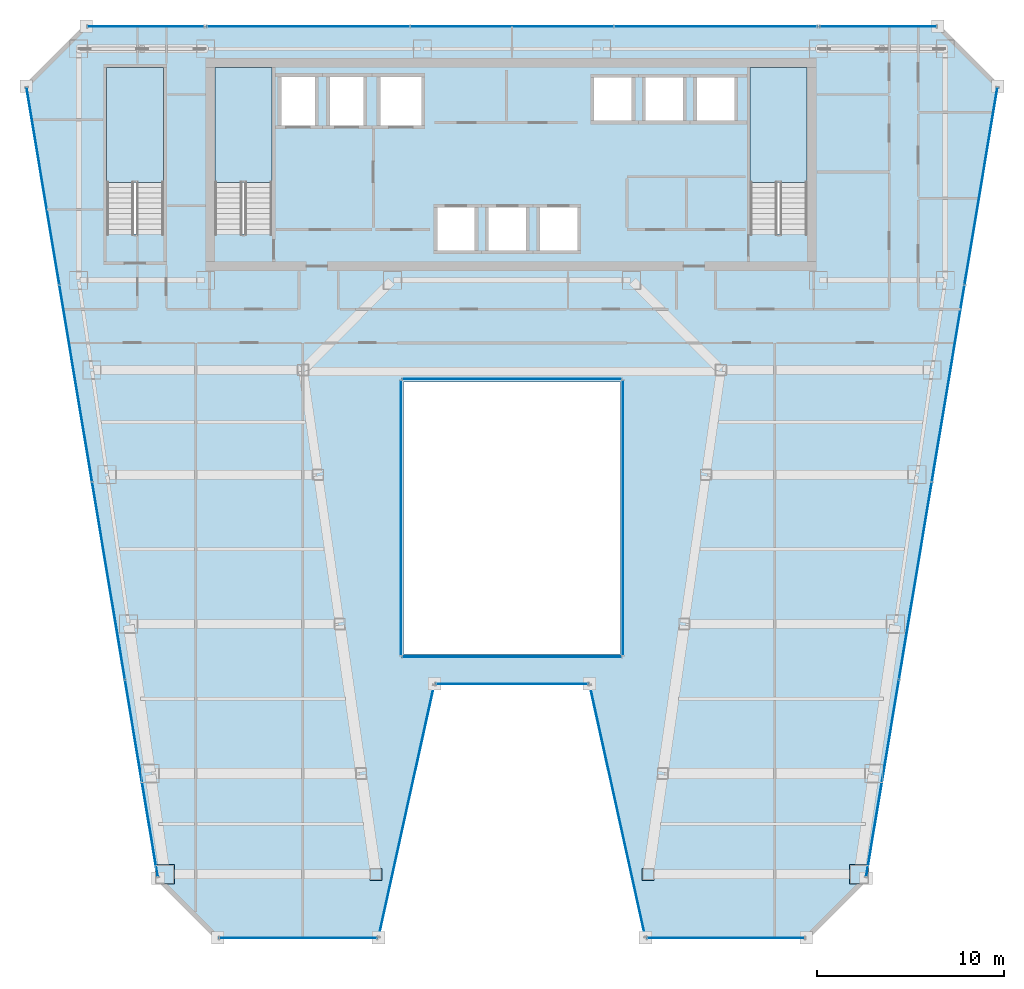
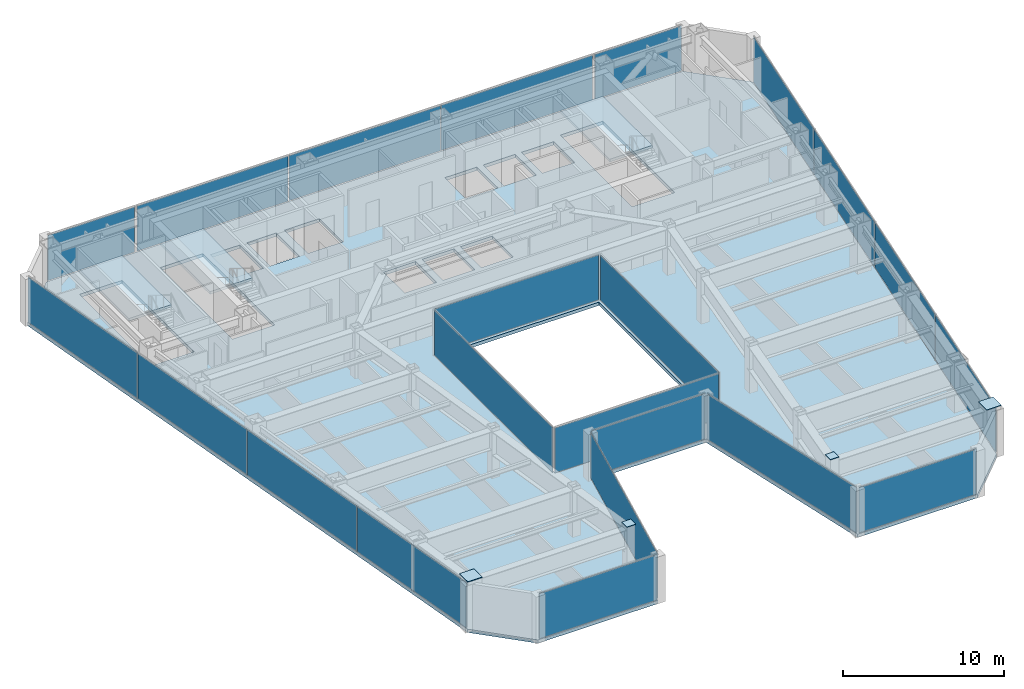
# One storey, part 29 of 37: 26 plates, 4 slabs, 17 elements without a shape of their own.
"""IFC4 building model written with IfcOpenShell, lengths in metres."""

import ifcopenshell
import ifcopenshell.guid

model = None  # the IFC model being written
_history = None  # IfcOwnerHistory: only IFC2X3 demands one
_inside = {}  # id of a spatial element -> (the spatial element, [elements in it])
_under = {}  # id of a project, library or spatial element -> (it, [spatial elements below it])
_declared = {}  # id of a project -> (the project, [libraries it declares])
_typed = {}  # id of a type object -> (the type object, [elements of that type])
_made_of = {}  # id of a material, layer set ... -> (it, [elements and type objects made of it])


def new_model(schema):
    """Start an empty IFC model of exactly this schema.

    Asked for "IFC4X3", IfcOpenShell would pick the latest addendum, in which some entities
    have other attributes; the version numbers below select the first issue.
    IFC2X3 requires an IfcOwnerHistory on every rooted entity: one is made here for all.
    """
    global model, _history
    if schema == "IFC4X3":
        model = ifcopenshell.file(schema_version=(4, 3, 0, 0))
    else:
        model = ifcopenshell.file(schema=schema)
    _inside.clear()
    _under.clear()
    _declared.clear()
    _typed.clear()
    _made_of.clear()
    _history = None
    if model.schema == "IFC2X3":
        org = make("IfcOrganization", Name="unknown")
        user = make(
            "IfcPersonAndOrganization",
            ThePerson=make("IfcPerson", FamilyName="unknown"),
            TheOrganization=org,
        )
        app = make(
            "IfcApplication",
            ApplicationDeveloper=org,
            Version="unknown",
            ApplicationFullName="unknown",
            ApplicationIdentifier="unknown",
        )
        _history = make(
            "IfcOwnerHistory",
            OwningUser=user,
            OwningApplication=app,
            ChangeAction="ADDED",
            CreationDate=0,
        )
    return model


def make(cls, **values):
    """One entity of the class cls with the attributes given. An attribute that is None is left unset."""
    return model.create_entity(
        cls, **{name: value for name, value in values.items() if value is not None}
    )


def rooted(cls, **values):
    """An entity with a GlobalId (a new one), such as an element, a storey or a relation."""
    return make(cls, GlobalId=ifcopenshell.guid.new(), OwnerHistory=_history, **values)


def si_unit(unit_type, name, prefix=None):
    """IfcSIUnit, for example si_unit("LENGTHUNIT", "METRE", prefix="MILLI")."""
    return make("IfcSIUnit", UnitType=unit_type, Prefix=prefix, Name=name)


def assignment(units):
    """IfcUnitAssignment: the units of a project."""
    return None if units is None else make("IfcUnitAssignment", Units=units)


def point(xyz):
    """IfcCartesianPoint."""
    return None if xyz is None else make("IfcCartesianPoint", Coordinates=xyz)


def direction(xyz):
    """IfcDirection."""
    return None if xyz is None else make("IfcDirection", DirectionRatios=xyz)


def frame(location, z_axis=None, x_axis=None):
    """IfcAxis2Placement3D, a coordinate frame: its origin and axes. An axis left out is left unset."""
    return make(
        "IfcAxis2Placement3D",
        Location=point(location),
        Axis=direction(z_axis),
        RefDirection=direction(x_axis),
    )


def frame_2d(location, x_axis=None):
    """IfcAxis2Placement2D, a coordinate frame in the plane: its origin and x axis."""
    return make(
        "IfcAxis2Placement2D", Location=point(location), RefDirection=direction(x_axis)
    )


def origin():
    """The frame at (0, 0, 0) with its axes left unset."""
    return frame((0.0, 0.0, 0.0))


def origin_2d():
    """The frame at (0, 0) in the plane with its x axis left unset."""
    return frame_2d((0.0, 0.0))


def place(relative_to, where):
    """IfcLocalPlacement: puts the frame where relative to a parent placement (None: the world)."""
    return make(
        "IfcLocalPlacement", PlacementRelTo=relative_to, RelativePlacement=where
    )


def context(
    kind, dimensions, precision=None, world=None, true_north=None, identifier=None
):
    """IfcGeometricRepresentationContext, for example the 3D "Model" context."""
    return make(
        "IfcGeometricRepresentationContext",
        ContextIdentifier=identifier,
        ContextType=kind,
        CoordinateSpaceDimension=dimensions,
        Precision=precision,
        WorldCoordinateSystem=world,
        TrueNorth=true_north,
    )


def subcontext(parent, identifier, kind, view, scale=None):
    """IfcGeometricRepresentationSubContext, for example "Body" below "Model"."""
    return make(
        "IfcGeometricRepresentationSubContext",
        ContextIdentifier=identifier,
        ContextType=kind,
        ParentContext=parent,
        TargetScale=scale,
        TargetView=view,
    )


def project(units=None, contexts=None):
    """IfcProject with its units and contexts."""
    return rooted(
        "IfcProject",
        Name="project",
        RepresentationContexts=contexts,
        UnitsInContext=assignment(units),
    )


def spatial(cls, under=None, at=None, **own):
    """A site, building, storey or space (cls), placed at a placement, below another one or the project."""
    s = rooted(cls, ObjectPlacement=at, **own)
    if under is not None:
        _under.setdefault(under.id(), (under, []))[1].append(s)
    return s


def polyline(points):
    """IfcPolyline through the points."""
    return make("IfcPolyline", Points=[point(p) for p in points])


def profile(cls, at=None, kind="AREA", **sizes):
    """A parametric profile (cls). Its sizes go by their IFC names, for example OverallWidth=200.0."""
    return make(cls, ProfileType=kind, Position=at, **sizes)


def rectangle(**sizes):
    """IfcRectangleProfileDef."""
    return profile("IfcRectangleProfileDef", **sizes)


def outline(outer, holes=None, kind="AREA"):
    """IfcArbitraryClosedProfileDef: a profile drawn as a closed curve; with holes, ...WithVoids."""
    if holes is None:
        return make("IfcArbitraryClosedProfileDef", ProfileType=kind, OuterCurve=outer)
    return make(
        "IfcArbitraryProfileDefWithVoids",
        ProfileType=kind,
        OuterCurve=outer,
        InnerCurves=holes,
    )


def extrude(swept, where, along, depth):
    """IfcExtrudedAreaSolid: the profile swept, set in the frame where, extruded along a direction by depth."""
    return make(
        "IfcExtrudedAreaSolid",
        SweptArea=swept,
        Position=where,
        ExtrudedDirection=direction(along),
        Depth=depth,
    )


def shape(context_of_items, identifier, shape_type, items):
    """IfcShapeRepresentation: the items that make up one representation, for example the "Body"."""
    return make(
        "IfcShapeRepresentation",
        ContextOfItems=context_of_items,
        RepresentationIdentifier=identifier,
        RepresentationType=shape_type,
        Items=items,
    )


def material(Name=None, Category=None):
    """IfcMaterial."""
    return make("IfcMaterial", Name=Name, Category=Category)


def layer(
    of_material, thickness, ventilated=None, Name=None, Category=None, Priority=None
):
    """IfcMaterialLayer: one layer of a wall or slab, of a material (None: an air gap)."""
    return make(
        "IfcMaterialLayer",
        Material=of_material,
        LayerThickness=thickness,
        IsVentilated=ventilated,
        Name=Name,
        Category=Category,
        Priority=Priority,
    )


def layer_set(layers, Name=None):
    """IfcMaterialLayerSet."""
    return make("IfcMaterialLayerSet", MaterialLayers=layers, LayerSetName=Name)


def made_of(thing, what):
    """Note that an element or type object is made of a material, layer set ...; save() writes the relation."""
    if what is not None:
        _made_of.setdefault(what.id(), (what, []))[1].append(thing)
    return thing


def type_object(cls, material=None, **own):
    """A type object (cls), such as IfcWallType, which elements share."""
    return made_of(rooted(cls, **own), material)


def element(
    cls,
    number,
    at=None,
    inside=None,
    cuts=None,
    type_object=None,
    material=None,
    context=None,
    identifier="Body",
    shape_type=None,
    held_by="IfcProductDefinitionShape",
    body=None,
    shapes=None,
    **own,
):
    """One element of the class cls, such as IfcWall. Its Tag is "e" and its number.

    at: its placement. inside: the storey or other place that contains it. cuts: it is an
    opening in that element (IfcRelVoidsElement). A single representation is given by context,
    identifier, shape_type and body (its items); several are given by shapes. held_by: the class
    of the entity that holds the representations. save() writes the other relations.
    """
    e = rooted(cls, Tag="e%d" % number, ObjectPlacement=at, **own)
    if body is not None:
        shapes = [shape(context, identifier, shape_type, body)]
    if shapes is not None:
        e.Representation = make(held_by, Representations=shapes)
    if inside is not None:
        _inside.setdefault(inside.id(), (inside, []))[1].append(e)
    if cuts is not None:
        rooted(
            "IfcRelVoidsElement", RelatingBuildingElement=cuts, RelatedOpeningElement=e
        )
    if type_object is not None:
        _typed.setdefault(type_object.id(), (type_object, []))[1].append(e)
    return made_of(e, material)


def aggregate(whole, parts):
    """IfcRelAggregates: a whole, such as a stair, and the parts it consists of."""
    return rooted("IfcRelAggregates", RelatingObject=whole, RelatedObjects=parts)


def save(model, path):
    """Write the relations noted so far, then the file.

    IfcRelAggregates (storeys below a building ...), IfcRelContainedInSpatialStructure (elements
    in a storey), IfcRelDefinesByType, IfcRelAssociatesMaterial and IfcRelDeclares: one each for
    every whole, place, type object, material and project.
    """
    for whole, parts in _under.values():
        aggregate(whole, parts)
    for where, things in _inside.values():
        rooted(
            "IfcRelContainedInSpatialStructure",
            RelatedElements=things,
            RelatingStructure=where,
        )
    for kind, things in _typed.values():
        rooted("IfcRelDefinesByType", RelatedObjects=things, RelatingType=kind)
    for what, things in _made_of.values():
        rooted("IfcRelAssociatesMaterial", RelatedObjects=things, RelatingMaterial=what)
    for by, libraries in _declared.values():
        rooted("IfcRelDeclares", RelatingContext=by, RelatedDefinitions=libraries)
    model.write(path)


model = new_model("IFC4")

# Units and contexts
model_context = context("Model", 3, precision=1e-05, world=origin(), true_north=direction((0.0, 1.0)))
body_context = subcontext(model_context, "Body", "Model", "MODEL_VIEW")
ifc_project = project(units=[si_unit("LENGTHUNIT", "METRE"), si_unit("AREAUNIT", "SQUARE_METRE"), si_unit("VOLUMEUNIT", "CUBIC_METRE"), si_unit("PLANEANGLEUNIT", "RADIAN"), si_unit("MASSUNIT", "GRAM", prefix="KILO")], contexts=[model_context])

# Site, building, storey
site_placement = place(None, origin())
site = spatial("IfcSite", under=ifc_project, at=site_placement, CompositionType="ELEMENT")
building_placement = place(site_placement, origin())
building = spatial("IfcBuilding", under=site, at=building_placement, Name="Saevonmaru Cultural Tower", CompositionType="ELEMENT")
storey_placement = place(building_placement, frame((0.0, 0.0, 163.800048828125)))
storey = spatial("IfcBuildingStorey", under=building, at=storey_placement, Name="L36", CompositionType="ELEMENT", Elevation=163.800048828125)

# Plates
ifc_material_1 = material(Name="Steel HSA600 (600 MPa)", Category="steel")
ifc_layer_1 = layer(ifc_material_1, 0.0400390625, Name="Steel HSA600 (600 MPa)")
ifc_layer_set_1 = layer_set([ifc_layer_1], Name="Steel HSA600 (600 MPa)")
plate_type_1 = type_object("IfcPlateType", Name="PL-CAP-1000", PredefinedType="USERDEFINED", material=ifc_layer_set_1)
for number, where, z_axis, x_axis, name in (
    (1, (48.592041015625, 10.60009765625, 3.794921875), (0.0, 0.0, 1.0), (1.0, 0.0, 0.0), "Column head cap plate TC-EO-Y106 L36"),
    (2, (11.407958984375, 10.60009765625, 3.794921875), (0.0, 0.0, 1.0), (1.0, 0.0, 0.0), "Column head cap plate TC-WO-Y106 L36"),
):
    element("IfcPlate", number, at=place(storey_placement, frame(where, z_axis=z_axis, x_axis=x_axis)), inside=storey, type_object=plate_type_1, Name=name, ObjectType="CAP_PLATE", PredefinedType="USERDEFINED", context=body_context, shape_type="SweptSolid", body=[
        extrude(rectangle(XDim=1.0400390625, YDim=1.0400390625, at=origin_2d()), origin(), (0.0, 0.0, 1.0), 0.0400390625),
    ])
ifc_layer_2 = layer(ifc_material_1, 0.0400390625, Name="Steel HSA600 (600 MPa)")
ifc_layer_set_2 = layer_set([ifc_layer_2], Name="Steel HSA600 (600 MPa)")
plate_type_2 = type_object("IfcPlateType", Name="PL-CAP-600", PredefinedType="USERDEFINED", material=ifc_layer_set_2)
for number, where, z_axis, x_axis, name in (
    (3, (37.2919921875, 10.60009765625, 3.794921875), (0.0, 0.0, 1.0), (1.0, 0.0, 0.0), "Column head cap plate TC-EI-Y106 L36"),
    (4, (22.7080078125, 10.60009765625, 3.794921875), (0.0, 0.0, 1.0), (1.0, 0.0, 0.0), "Column head cap plate TC-WI-Y106 L36"),
):
    element("IfcPlate", number, at=place(storey_placement, frame(where, z_axis=z_axis, x_axis=x_axis)), inside=storey, type_object=plate_type_2, Name=name, ObjectType="CAP_PLATE", PredefinedType="USERDEFINED", context=body_context, shape_type="SweptSolid", body=[
        extrude(rectangle(XDim=0.639892578125, YDim=0.639892578125, at=origin_2d()), origin(), (0.0, 0.0, 1.0), 0.0400390625),
    ])

# Curtain wall, plate
ifc_material_2 = material(Name="Satin Bronze Anodised Aluminium", Category="aluminium")
curtain_wall_type_1 = type_object("IfcCurtainWallType", Name="CW-ATR-GLZ", PredefinedType="NOTDEFINED", material=ifc_material_2)
curtain_wall_1_placement = place(storey_placement, origin())
curtain_wall_1 = element("IfcCurtainWall", 5, at=curtain_wall_1_placement, inside=storey, type_object=curtain_wall_type_1, Name="L36 Vertical Atrium Glazed Smoke Screen 1", PredefinedType="NOTDEFINED")
ifc_material_3 = material(Name="Fire-Rated Laminated Atrium Glass", Category="glass")
ifc_layer_3 = layer(ifc_material_3, 0.031982421875, Name="Fire-Rated Laminated Atrium Glass")
ifc_layer_set_3 = layer_set([ifc_layer_3], Name="Fire-Rated Laminated Atrium Glass")
plate_type_3 = type_object("IfcPlateType", Name="PN-GLZ-ATR-INT", PredefinedType="CURTAIN_PANEL", material=ifc_layer_set_3)
plate_1_placement = place(storey_placement, frame((30.0, 22.25, 0.06689453125), z_axis=(0.0, 0.0, 1.0), x_axis=(1.0, 0.0, 0.0)))
plate_1 = element("IfcPlate", 6, at=plate_1_placement, type_object=plate_type_3, Name="CW-ATR-L36-1 panel 1.1", PredefinedType="CURTAIN_PANEL", context=body_context, shape_type="SweptSolid", body=[
    extrude(rectangle(XDim=11.7109375, YDim=0.031982421875, at=origin_2d()), origin(), (0.0, 0.0, 1.0), 3.416015625),
])
aggregate(curtain_wall_1, [plate_1])

curtain_wall_2_placement = place(storey_placement, origin())
curtain_wall_2 = element("IfcCurtainWall", 7, at=curtain_wall_2_placement, inside=storey, type_object=curtain_wall_type_1, Name="L36 Vertical Atrium Glazed Smoke Screen 2", PredefinedType="NOTDEFINED")
plate_2_placement = place(storey_placement, frame((35.949951171875, 29.679931640625, 0.06689453125), z_axis=(0.0, 0.0, 1.0), x_axis=(0.0, 1.0, 0.0)))
plate_2 = element("IfcPlate", 8, at=plate_2_placement, type_object=plate_type_3, Name="CW-ATR-L36-2 panel 1.1", PredefinedType="CURTAIN_PANEL", context=body_context, shape_type="SweptSolid", body=[
    extrude(rectangle(XDim=14.6708984375, YDim=0.031982421875, at=origin_2d()), origin(), (0.0, 0.0, 1.0), 3.416015625),
])
aggregate(curtain_wall_2, [plate_2])

curtain_wall_3_placement = place(storey_placement, origin())
curtain_wall_3 = element("IfcCurtainWall", 9, at=curtain_wall_3_placement, inside=storey, type_object=curtain_wall_type_1, Name="L36 Vertical Atrium Glazed Smoke Screen 3", PredefinedType="NOTDEFINED")
plate_3_placement = place(storey_placement, frame((30.0, 37.110107421875, 0.06689453125), z_axis=(0.0, 0.0, 1.0), x_axis=(-1.0, 0.0, 0.0)))
plate_3 = element("IfcPlate", 10, at=plate_3_placement, type_object=plate_type_3, Name="CW-ATR-L36-3 panel 1.1", PredefinedType="CURTAIN_PANEL", context=body_context, shape_type="SweptSolid", body=[
    extrude(rectangle(XDim=11.7109375, YDim=0.031982421875, at=origin_2d()), origin(), (0.0, 0.0, 1.0), 3.416015625),
])
aggregate(curtain_wall_3, [plate_3])

curtain_wall_4_placement = place(storey_placement, origin())
curtain_wall_4 = element("IfcCurtainWall", 11, at=curtain_wall_4_placement, inside=storey, type_object=curtain_wall_type_1, Name="L36 Vertical Atrium Glazed Smoke Screen 4", PredefinedType="NOTDEFINED")
plate_4_placement = place(storey_placement, frame((24.050048828125, 29.679931640625, 0.06689453125), z_axis=(0.0, 0.0, 1.0), x_axis=(0.0, -1.0, 0.0)))
plate_4 = element("IfcPlate", 12, at=plate_4_placement, type_object=plate_type_3, Name="CW-ATR-L36-4 panel 1.1", PredefinedType="CURTAIN_PANEL", context=body_context, shape_type="SweptSolid", body=[
    extrude(rectangle(XDim=14.6708984375, YDim=0.031982421875, at=origin_2d()), origin(), (0.0, 0.0, 1.0), 3.416015625),
])
aggregate(curtain_wall_4, [plate_4])

curtain_wall_type_2 = type_object("IfcCurtainWallType", Name="CW-TYP-A", PredefinedType="NOTDEFINED", material=ifc_material_2)
curtain_wall_5_placement = place(storey_placement, origin())
curtain_wall_5 = element("IfcCurtainWall", 13, at=curtain_wall_5_placement, inside=storey, type_object=curtain_wall_type_2, Name="L36 Unitised Curtain Wall E2", PredefinedType="NOTDEFINED")
ifc_material_4 = material(Name="Triple Silver Low-E Insulating Glass", Category="glass")
ifc_layer_4 = layer(ifc_material_4, 0.035888671875, Name="Triple Silver Low-E Insulating Glass")
ifc_layer_set_4 = layer_set([ifc_layer_4], Name="Triple Silver Low-E Insulating Glass")
plate_type_4 = type_object("IfcPlateType", Name="PN-GLZ-IGU", PredefinedType="CURTAIN_PANEL", material=ifc_layer_set_4)
plate_5_placement = place(storey_placement, frame((18.548828125, 7.199951171875, 0.06689453125), z_axis=(0.0, 0.0, 1.0), x_axis=(1.0, 0.0, 0.0)))
plate_5 = element("IfcPlate", 14, at=plate_5_placement, type_object=plate_type_4, Name="CW-TW-L36-E2 panel 1.1", PredefinedType="CURTAIN_PANEL", context=body_context, shape_type="SweptSolid", body=[
    extrude(rectangle(XDim=8.410888671875, YDim=0.035888671875, at=origin_2d()), origin(), (0.0, 0.0, 1.0), 3.416015625),
])
aggregate(curtain_wall_5, [plate_5])

curtain_wall_6_placement = place(storey_placement, origin())
curtain_wall_6 = element("IfcCurtainWall", 15, at=curtain_wall_6_placement, inside=storey, type_object=curtain_wall_type_2, Name="L36 Unitised Curtain Wall E3", PredefinedType="NOTDEFINED")
plate_6_placement = place(storey_placement, frame((24.348876953125, 14.0, 0.06689453125), z_axis=(0.0, 0.0, 1.0), x_axis=(0.215413319953, 0.976522965212, 0.0)))
plate_6 = element("IfcPlate", 16, at=plate_6_placement, type_object=plate_type_4, Name="CW-TW-L36-E3 panel 1.1", PredefinedType="CURTAIN_PANEL", context=body_context, shape_type="SweptSolid", body=[
    extrude(rectangle(XDim=13.738037109375, YDim=0.035888671875, at=origin_2d()), origin(), (0.0, 0.0, 1.0), 3.416015625),
])
aggregate(curtain_wall_6, [plate_6])

curtain_wall_7_placement = place(storey_placement, origin())
curtain_wall_7 = element("IfcCurtainWall", 17, at=curtain_wall_7_placement, inside=storey, type_object=curtain_wall_type_2, Name="L36 Unitised Curtain Wall E4", PredefinedType="NOTDEFINED")
plate_7_placement = place(storey_placement, frame((30.0, 20.800048828125, 0.06689453125), z_axis=(0.0, 0.0, 1.0), x_axis=(1.0, 0.0, 0.0)))
plate_7 = element("IfcPlate", 18, at=plate_7_placement, type_object=plate_type_4, Name="CW-TW-L36-E4 panel 1.1", PredefinedType="CURTAIN_PANEL", context=body_context, shape_type="SweptSolid", body=[
    extrude(rectangle(XDim=8.11328125, YDim=0.035888671875, at=origin_2d()), origin(), (0.0, 0.0, 1.0), 3.416015625),
])
aggregate(curtain_wall_7, [plate_7])

curtain_wall_8_placement = place(storey_placement, origin())
curtain_wall_8 = element("IfcCurtainWall", 19, at=curtain_wall_8_placement, inside=storey, type_object=curtain_wall_type_2, Name="L36 Unitised Curtain Wall E5", PredefinedType="NOTDEFINED")
plate_8_placement = place(storey_placement, frame((35.651123046875, 14.0, 0.06689453125), z_axis=(0.0, 0.0, 1.0), x_axis=(0.215413319953, -0.976522965212, 0.0)))
plate_8 = element("IfcPlate", 20, at=plate_8_placement, type_object=plate_type_4, Name="CW-TW-L36-E5 panel 1.1", PredefinedType="CURTAIN_PANEL", context=body_context, shape_type="SweptSolid", body=[
    extrude(rectangle(XDim=13.738037109375, YDim=0.035888671875, at=origin_2d()), origin(), (0.0, 0.0, 1.0), 3.416015625),
])
aggregate(curtain_wall_8, [plate_8])

curtain_wall_9_placement = place(storey_placement, origin())
curtain_wall_9 = element("IfcCurtainWall", 21, at=curtain_wall_9_placement, inside=storey, type_object=curtain_wall_type_2, Name="L36 Unitised Curtain Wall E6", PredefinedType="NOTDEFINED")
plate_9_placement = place(storey_placement, frame((41.451171875, 7.199951171875, 0.06689453125), z_axis=(0.0, 0.0, 1.0), x_axis=(1.0, 0.0, 0.0)))
plate_9 = element("IfcPlate", 22, at=plate_9_placement, type_object=plate_type_4, Name="CW-TW-L36-E6 panel 1.1", PredefinedType="CURTAIN_PANEL", context=body_context, shape_type="SweptSolid", body=[
    extrude(rectangle(XDim=8.410888671875, YDim=0.035888671875, at=origin_2d()), origin(), (0.0, 0.0, 1.0), 3.416015625),
])
aggregate(curtain_wall_9, [plate_9])

# Curtain wall, plates
curtain_wall_10_placement = place(storey_placement, origin())
curtain_wall_10 = element("IfcCurtainWall", 23, at=curtain_wall_10_placement, inside=storey, type_object=curtain_wall_type_2, Name="L36 Unitised Curtain Wall E8", PredefinedType="NOTDEFINED")
plate_10_placement = place(storey_placement, frame((49.839599609375, 15.744384765625, 0.06689453125), z_axis=(0.0, 0.0, 1.0), x_axis=(0.163998702345, 0.986460554523, 0.0)))
plate_10 = element("IfcPlate", 24, at=plate_10_placement, type_object=plate_type_4, Name="CW-TW-L36-E8 panel 1.1", PredefinedType="CURTAIN_PANEL", context=body_context, shape_type="SweptSolid", body=[
    extrude(rectangle(XDim=10.646484375, YDim=0.035888671875, at=origin_2d()), origin(), (0.0, 0.0, 1.0), 3.416015625),
])
plate_11_placement = place(storey_placement, frame((51.596923828125, 26.314697265625, 0.06689453125), z_axis=(0.0, 0.0, 1.0), x_axis=(0.163998702345, 0.986460554523, 0.0)))
plate_11 = element("IfcPlate", 25, at=plate_11_placement, type_object=plate_type_4, Name="CW-TW-L36-E8 panel 2.1", PredefinedType="CURTAIN_PANEL", context=body_context, shape_type="SweptSolid", body=[
    extrude(rectangle(XDim=10.646484375, YDim=0.035888671875, at=origin_2d()), origin(), (0.0, 0.0, 1.0), 3.416015625),
])
plate_12_placement = place(storey_placement, frame((53.354248046875, 36.88525390625, 0.06689453125), z_axis=(0.0, 0.0, 1.0), x_axis=(0.163998702345, 0.986460554523, 0.0)))
plate_12 = element("IfcPlate", 26, at=plate_12_placement, type_object=plate_type_4, Name="CW-TW-L36-E8 panel 3.1", PredefinedType="CURTAIN_PANEL", context=body_context, shape_type="SweptSolid", body=[
    extrude(rectangle(XDim=10.646484375, YDim=0.035888671875, at=origin_2d()), origin(), (0.0, 0.0, 1.0), 3.416015625),
])
plate_13_placement = place(storey_placement, frame((55.111572265625, 47.45556640625, 0.06689453125), z_axis=(0.0, 0.0, 1.0), x_axis=(0.163998702345, 0.986460554523, 0.0)))
plate_13 = element("IfcPlate", 27, at=plate_13_placement, type_object=plate_type_4, Name="CW-TW-L36-E8 panel 4.1", PredefinedType="CURTAIN_PANEL", context=body_context, shape_type="SweptSolid", body=[
    extrude(rectangle(XDim=10.646484375, YDim=0.035888671875, at=origin_2d()), origin(), (0.0, 0.0, 1.0), 3.416015625),
])
aggregate(curtain_wall_10, [plate_10, plate_11, plate_12, plate_13])

curtain_wall_11_placement = place(storey_placement, origin())
curtain_wall_11 = element("IfcCurtainWall", 28, at=curtain_wall_11_placement, inside=storey, type_object=curtain_wall_type_2, Name="L36 North Spine Unitised Curtain Wall E10B", PredefinedType="NOTDEFINED")
plate_14_placement = place(storey_placement, frame((40.893310546875, 56.0, 0.06689453125), z_axis=(0.0, 0.0, 1.0), x_axis=(-1.0, 0.0, 0.0)))
plate_14 = element("IfcPlate", 29, at=plate_14_placement, type_object=plate_type_4, Name="CW-TW-L36-E10B panel 1.1", PredefinedType="CURTAIN_PANEL", context=body_context, shape_type="SweptSolid", body=[
    extrude(rectangle(XDim=10.82421875, YDim=0.035888671875, at=origin_2d()), origin(), (0.0, 0.0, 1.0), 3.416015625),
])
plate_15_placement = place(storey_placement, frame((30.0, 56.0, 0.06689453125), z_axis=(0.0, 0.0, 1.0), x_axis=(-1.0, 0.0, 0.0)))
plate_15 = element("IfcPlate", 30, at=plate_15_placement, type_object=plate_type_4, Name="CW-TW-L36-E10B panel 2.1", PredefinedType="CURTAIN_PANEL", context=body_context, shape_type="SweptSolid", body=[
    extrude(rectangle(XDim=10.82421875, YDim=0.035888671875, at=origin_2d()), origin(), (0.0, 0.0, 1.0), 3.416015625),
])
plate_16_placement = place(storey_placement, frame((19.106689453125, 56.0, 0.06689453125), z_axis=(0.0, 0.0, 1.0), x_axis=(-1.0, 0.0, 0.0)))
plate_16 = element("IfcPlate", 31, at=plate_16_placement, type_object=plate_type_4, Name="CW-TW-L36-E10B panel 3.1", PredefinedType="CURTAIN_PANEL", context=body_context, shape_type="SweptSolid", body=[
    extrude(rectangle(XDim=10.82421875, YDim=0.035888671875, at=origin_2d()), origin(), (0.0, 0.0, 1.0), 3.416015625),
])
aggregate(curtain_wall_11, [plate_14, plate_15, plate_16])

curtain_wall_12_placement = place(storey_placement, origin())
curtain_wall_12 = element("IfcCurtainWall", 32, at=curtain_wall_12_placement, inside=storey, type_object=curtain_wall_type_2, Name="L36 Unitised Curtain Wall E12", PredefinedType="NOTDEFINED")
plate_17_placement = place(storey_placement, frame((4.888427734375, 47.45556640625, 0.06689453125), z_axis=(0.0, 0.0, 1.0), x_axis=(0.163998702345, -0.986460554523, 0.0)))
plate_17 = element("IfcPlate", 33, at=plate_17_placement, type_object=plate_type_4, Name="CW-TW-L36-E12 panel 1.1", PredefinedType="CURTAIN_PANEL", context=body_context, shape_type="SweptSolid", body=[
    extrude(rectangle(XDim=10.646484375, YDim=0.035888671875, at=origin_2d()), origin(), (0.0, 0.0, 1.0), 3.416015625),
])
plate_18_placement = place(storey_placement, frame((6.645751953125, 36.88525390625, 0.06689453125), z_axis=(0.0, 0.0, 1.0), x_axis=(0.163998702345, -0.986460554523, 0.0)))
plate_18 = element("IfcPlate", 34, at=plate_18_placement, type_object=plate_type_4, Name="CW-TW-L36-E12 panel 2.1", PredefinedType="CURTAIN_PANEL", context=body_context, shape_type="SweptSolid", body=[
    extrude(rectangle(XDim=10.646484375, YDim=0.035888671875, at=origin_2d()), origin(), (0.0, 0.0, 1.0), 3.416015625),
])
plate_19_placement = place(storey_placement, frame((8.403076171875, 26.314697265625, 0.06689453125), z_axis=(0.0, 0.0, 1.0), x_axis=(0.163998702345, -0.986460554523, 0.0)))
plate_19 = element("IfcPlate", 35, at=plate_19_placement, type_object=plate_type_4, Name="CW-TW-L36-E12 panel 3.1", PredefinedType="CURTAIN_PANEL", context=body_context, shape_type="SweptSolid", body=[
    extrude(rectangle(XDim=10.646484375, YDim=0.035888671875, at=origin_2d()), origin(), (0.0, 0.0, 1.0), 3.416015625),
])
plate_20_placement = place(storey_placement, frame((10.160400390625, 15.744384765625, 0.06689453125), z_axis=(0.0, 0.0, 1.0), x_axis=(0.163998702345, -0.986460554523, 0.0)))
plate_20 = element("IfcPlate", 36, at=plate_20_placement, type_object=plate_type_4, Name="CW-TW-L36-E12 panel 4.1", PredefinedType="CURTAIN_PANEL", context=body_context, shape_type="SweptSolid", body=[
    extrude(rectangle(XDim=10.646484375, YDim=0.035888671875, at=origin_2d()), origin(), (0.0, 0.0, 1.0), 3.416015625),
])
aggregate(curtain_wall_12, [plate_17, plate_18, plate_19, plate_20])

# Curtain wall, plate
curtain_wall_13_placement = place(storey_placement, origin())
curtain_wall_13 = element("IfcCurtainWall", 37, at=curtain_wall_13_placement, inside=storey, type_object=curtain_wall_type_2, Name="L36 East Braced Bay Spandrel Curtain Wall E10A", PredefinedType="NOTDEFINED")
ifc_material_5 = material(Name="Insulated Satin Bronze Aluminium Spandrel Panel", Category="aluminium")
ifc_layer_5 = layer(ifc_material_5, 0.0400390625, Name="Insulated Satin Bronze Aluminium Spandrel Panel")
ifc_layer_set_5 = layer_set([ifc_layer_5], Name="Insulated Satin Bronze Aluminium Spandrel Panel")
plate_type_5 = type_object("IfcPlateType", Name="PN-SPANDREL-BRONZE", PredefinedType="CURTAIN_PANEL", material=ifc_layer_set_5)
plate_21_placement = place(storey_placement, frame((49.60009765625, 56.0, 0.06689453125), z_axis=(0.0, 0.0, 1.0), x_axis=(-1.0, 0.0, 0.0)))
plate_21 = element("IfcPlate", 38, at=plate_21_placement, type_object=plate_type_5, Name="CW-TW-L36-E10A panel 1.1", PredefinedType="CURTAIN_PANEL", context=body_context, shape_type="SweptSolid", body=[
    extrude(rectangle(XDim=6.2109375, YDim=0.035888671875, at=origin_2d()), origin(), (0.0, 0.0, 1.0), 3.416015625),
])
aggregate(curtain_wall_13, [plate_21])

curtain_wall_14_placement = place(storey_placement, origin())
curtain_wall_14 = element("IfcCurtainWall", 39, at=curtain_wall_14_placement, inside=storey, type_object=curtain_wall_type_2, Name="L36 West Braced Bay Spandrel Curtain Wall E10C", PredefinedType="NOTDEFINED")
plate_22_placement = place(storey_placement, frame((10.39990234375, 56.0, 0.06689453125), z_axis=(0.0, 0.0, 1.0), x_axis=(-1.0, 0.0, 0.0)))
plate_22 = element("IfcPlate", 40, at=plate_22_placement, type_object=plate_type_5, Name="CW-TW-L36-E10C panel 1.1", PredefinedType="CURTAIN_PANEL", context=body_context, shape_type="SweptSolid", body=[
    extrude(rectangle(XDim=6.2109375, YDim=0.035888671875, at=origin_2d()), origin(), (0.0, 0.0, 1.0), 3.416015625),
])
aggregate(curtain_wall_14, [plate_22])

# Slab
ifc_material_6 = material(Name="Concrete C40/50", Category="concrete")
ifc_layer_6 = layer(ifc_material_6, 0.25, Name="Concrete C40/50")
ifc_layer_set_6 = layer_set([ifc_layer_6], Name="Concrete C40/50")
slab_type_1 = type_object("IfcSlabType", Name="SL-FLR-250", PredefinedType="FLOOR", material=ifc_layer_set_6)
slab_1_placement = place(storey_placement, frame((0.0, 0.0, -0.25)))
element("IfcSlab", 41, at=slab_1_placement, inside=storey, type_object=slab_type_1, Name="L36 Tower Structural Floor Slab", PredefinedType="FLOOR", context=body_context, shape_type="SweptSolid", body=[
    extrude(outline(polyline([(11.048828125, 10.39990234375), (14.248779296875, 7.199951171875), (22.848876953125, 7.199951171875), (25.848876953125, 20.800048828125), (34.151123046875, 20.800048828125), (37.151123046875, 7.199951171875), (45.751220703125, 7.199951171875), (48.951171875, 10.39990234375), (56.0, 52.800048828125), (52.800048828125, 56.0), (7.199951171875, 56.0), (4.0, 52.800048828125), (11.048828125, 10.39990234375)]), holes=[polyline([(45.800048828125, 44.875), (42.75, 44.875), (42.75, 53.800048828125), (45.800048828125, 53.800048828125), (45.800048828125, 44.875)]), polyline([(39.75, 50.800048828125), (39.75, 53.39990234375), (42.050048828125, 53.39990234375), (42.050048828125, 50.800048828125), (39.75, 50.800048828125)]), polyline([(37.0, 50.800048828125), (37.0, 53.39990234375), (39.300048828125, 53.39990234375), (39.300048828125, 50.800048828125), (37.0, 50.800048828125)]), polyline([(34.25, 50.800048828125), (34.25, 53.39990234375), (36.550048828125, 53.39990234375), (36.550048828125, 50.800048828125), (34.25, 50.800048828125)]), polyline([(24.199951171875, 22.39990234375), (24.199951171875, 36.9599609375), (35.800048828125, 36.9599609375), (35.800048828125, 22.39990234375), (24.199951171875, 22.39990234375)]), polyline([(31.35009765625, 43.85009765625), (31.35009765625, 46.449951171875), (33.64990234375, 46.449951171875), (33.64990234375, 43.85009765625), (31.35009765625, 43.85009765625)]), polyline([(28.60009765625, 43.85009765625), (28.60009765625, 46.449951171875), (30.89990234375, 46.449951171875), (30.89990234375, 43.85009765625), (28.60009765625, 43.85009765625)]), polyline([(28.14990234375, 43.85009765625), (25.85009765625, 43.85009765625), (25.85009765625, 46.449951171875), (28.14990234375, 46.449951171875), (28.14990234375, 43.85009765625)]), polyline([(25.300048828125, 50.550048828125), (22.800048828125, 50.550048828125), (22.800048828125, 53.449951171875), (25.300048828125, 53.449951171875), (25.300048828125, 50.550048828125)]), polyline([(20.10009765625, 50.550048828125), (20.10009765625, 53.449951171875), (22.199951171875, 53.449951171875), (22.199951171875, 50.550048828125), (20.10009765625, 50.550048828125)]), polyline([(17.5, 50.550048828125), (17.5, 53.449951171875), (19.60009765625, 53.449951171875), (19.60009765625, 50.550048828125), (17.5, 50.550048828125)]), polyline([(17.14990234375, 53.800048828125), (17.14990234375, 44.875), (14.10009765625, 44.875), (14.10009765625, 53.800048828125), (17.14990234375, 53.800048828125)]), polyline([(11.35009765625, 44.875), (8.300048828125, 44.875), (8.300048828125, 53.800048828125), (11.35009765625, 53.800048828125), (11.35009765625, 44.875)])]), origin(), (0.0, 0.0, 1.0), 0.25),
])

# Stair, slab
stair_type = type_object("IfcStairType", Name="STR-DOGLEG-RC", PredefinedType="HALF_TURN_STAIR", material=ifc_material_6)
stair_1_placement = place(storey_placement, origin())
stair_1 = element("IfcStair", 42, at=stair_1_placement, inside=storey, type_object=stair_type, Name="L36 Protected exit stair ST-1", PredefinedType="HALF_TURN_STAIR")
ifc_layer_7 = layer(ifc_material_6, 0.199951171875, Name="Concrete C40/50")
ifc_layer_set_7 = layer_set([ifc_layer_7], Name="Concrete C40/50")
slab_type_2 = type_object("IfcSlabType", Name="SL-STAIR-LANDING", PredefinedType="LANDING", material=ifc_layer_set_7)
slab_2_placement = place(storey_placement, frame((0.0, 0.0, 1.699951171875)))
slab_2 = element("IfcSlab", 43, at=slab_2_placement, type_object=slab_type_2, Name="ST-1-L36 landing 1", PredefinedType="LANDING", context=body_context, shape_type="SweptSolid", body=[
    extrude(outline(polyline([(17.14990234375, 47.64990234375), (17.14990234375, 53.800048828125), (14.10009765625, 53.800048828125), (14.10009765625, 47.64990234375), (17.14990234375, 47.64990234375)])), origin(), (0.0, 0.0, 1.0), 0.199951171875),
])
aggregate(stair_1, [slab_2])

stair_2_placement = place(storey_placement, origin())
stair_2 = element("IfcStair", 44, at=stair_2_placement, inside=storey, type_object=stair_type, Name="L36 Protected exit stair ST-2", PredefinedType="HALF_TURN_STAIR")
slab_3_placement = place(storey_placement, frame((0.0, 0.0, 1.699951171875)))
slab_3 = element("IfcSlab", 45, at=slab_3_placement, type_object=slab_type_2, Name="ST-2-L36 landing 1", PredefinedType="LANDING", context=body_context, shape_type="SweptSolid", body=[
    extrude(outline(polyline([(45.800048828125, 47.64990234375), (45.800048828125, 53.800048828125), (42.75, 53.800048828125), (42.75, 47.64990234375), (45.800048828125, 47.64990234375)])), origin(), (0.0, 0.0, 1.0), 0.199951171875),
])
aggregate(stair_2, [slab_3])

stair_3_placement = place(storey_placement, origin())
stair_3 = element("IfcStair", 46, at=stair_3_placement, inside=storey, type_object=stair_type, Name="L36 Protected exit stair ST-3", PredefinedType="HALF_TURN_STAIR")
slab_4_placement = place(storey_placement, frame((0.0, 0.0, 1.699951171875)))
slab_4 = element("IfcSlab", 47, at=slab_4_placement, type_object=slab_type_2, Name="ST-3-L36 landing 1", PredefinedType="LANDING", context=body_context, shape_type="SweptSolid", body=[
    extrude(outline(polyline([(11.35009765625, 47.64990234375), (11.35009765625, 53.800048828125), (8.300048828125, 53.800048828125), (8.300048828125, 47.64990234375), (11.35009765625, 47.64990234375)])), origin(), (0.0, 0.0, 1.0), 0.199951171875),
])
aggregate(stair_3, [slab_4])

save(model, "model.ifc")
